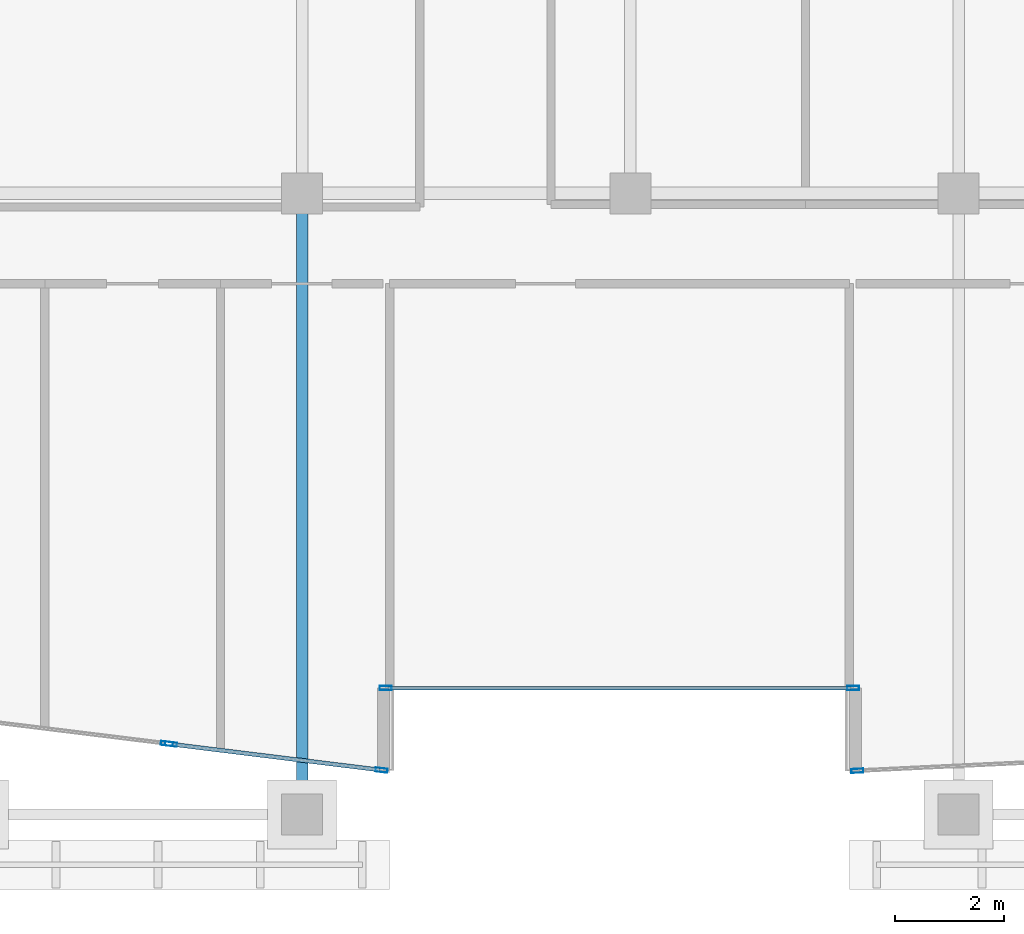
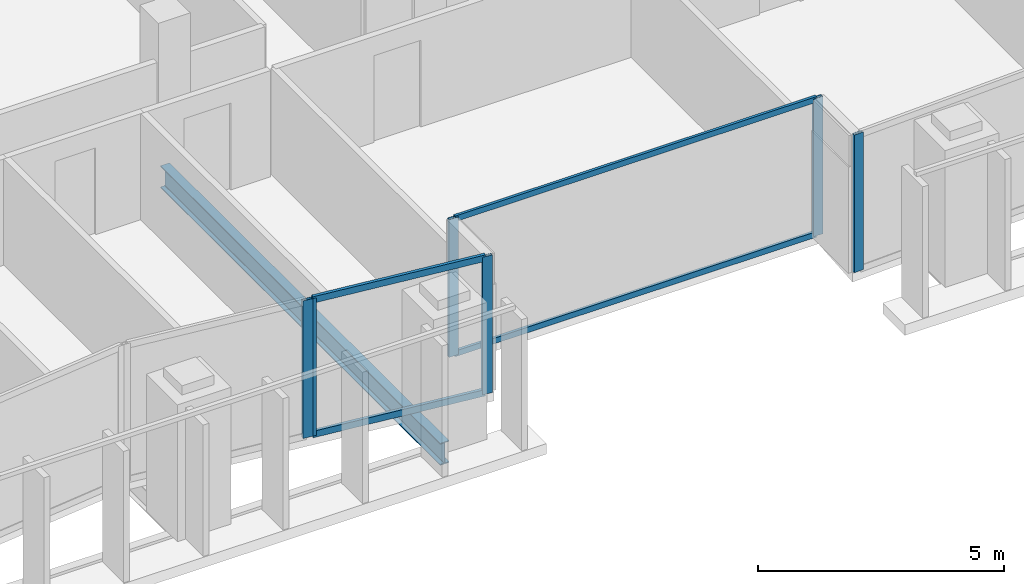
# One storey, part 4 of 32: 10 members, 1 beam, 4 elements without a shape of their own.
"""IFC4 building model written with IfcOpenShell, lengths in metres."""

import ifcopenshell
import ifcopenshell.guid

model = None  # the IFC model being written
_history = None  # IfcOwnerHistory: only IFC2X3 demands one
_inside = {}  # id of a spatial element -> (the spatial element, [elements in it])
_under = {}  # id of a project, library or spatial element -> (it, [spatial elements below it])
_declared = {}  # id of a project -> (the project, [libraries it declares])
_typed = {}  # id of a type object -> (the type object, [elements of that type])
_made_of = {}  # id of a material, layer set ... -> (it, [elements and type objects made of it])


def new_model(schema):
    """Start an empty IFC model of exactly this schema.

    Asked for "IFC4X3", IfcOpenShell would pick the latest addendum, in which some entities
    have other attributes; the version numbers below select the first issue.
    IFC2X3 requires an IfcOwnerHistory on every rooted entity: one is made here for all.
    """
    global model, _history
    if schema == "IFC4X3":
        model = ifcopenshell.file(schema_version=(4, 3, 0, 0))
    else:
        model = ifcopenshell.file(schema=schema)
    _inside.clear()
    _under.clear()
    _declared.clear()
    _typed.clear()
    _made_of.clear()
    _history = None
    if model.schema == "IFC2X3":
        org = make("IfcOrganization", Name="unknown")
        user = make(
            "IfcPersonAndOrganization",
            ThePerson=make("IfcPerson", FamilyName="unknown"),
            TheOrganization=org,
        )
        app = make(
            "IfcApplication",
            ApplicationDeveloper=org,
            Version="unknown",
            ApplicationFullName="unknown",
            ApplicationIdentifier="unknown",
        )
        _history = make(
            "IfcOwnerHistory",
            OwningUser=user,
            OwningApplication=app,
            ChangeAction="ADDED",
            CreationDate=0,
        )
    return model


def make(cls, **values):
    """One entity of the class cls with the attributes given. An attribute that is None is left unset."""
    return model.create_entity(
        cls, **{name: value for name, value in values.items() if value is not None}
    )


def rooted(cls, **values):
    """An entity with a GlobalId (a new one), such as an element, a storey or a relation."""
    return make(cls, GlobalId=ifcopenshell.guid.new(), OwnerHistory=_history, **values)


def si_unit(unit_type, name, prefix=None):
    """IfcSIUnit, for example si_unit("LENGTHUNIT", "METRE", prefix="MILLI")."""
    return make("IfcSIUnit", UnitType=unit_type, Prefix=prefix, Name=name)


def assignment(units):
    """IfcUnitAssignment: the units of a project."""
    return None if units is None else make("IfcUnitAssignment", Units=units)


def point(xyz):
    """IfcCartesianPoint."""
    return None if xyz is None else make("IfcCartesianPoint", Coordinates=xyz)


def direction(xyz):
    """IfcDirection."""
    return None if xyz is None else make("IfcDirection", DirectionRatios=xyz)


def frame(location, z_axis=None, x_axis=None):
    """IfcAxis2Placement3D, a coordinate frame: its origin and axes. An axis left out is left unset."""
    return make(
        "IfcAxis2Placement3D",
        Location=point(location),
        Axis=direction(z_axis),
        RefDirection=direction(x_axis),
    )


def frame_2d(location, x_axis=None):
    """IfcAxis2Placement2D, a coordinate frame in the plane: its origin and x axis."""
    return make(
        "IfcAxis2Placement2D", Location=point(location), RefDirection=direction(x_axis)
    )


def origin():
    """The frame at (0, 0, 0) with its axes left unset."""
    return frame((0.0, 0.0, 0.0))


def origin_2d():
    """The frame at (0, 0) in the plane with its x axis left unset."""
    return frame_2d((0.0, 0.0))


def place(relative_to, where):
    """IfcLocalPlacement: puts the frame where relative to a parent placement (None: the world)."""
    return make(
        "IfcLocalPlacement", PlacementRelTo=relative_to, RelativePlacement=where
    )


def context(
    kind, dimensions, precision=None, world=None, true_north=None, identifier=None
):
    """IfcGeometricRepresentationContext, for example the 3D "Model" context."""
    return make(
        "IfcGeometricRepresentationContext",
        ContextIdentifier=identifier,
        ContextType=kind,
        CoordinateSpaceDimension=dimensions,
        Precision=precision,
        WorldCoordinateSystem=world,
        TrueNorth=true_north,
    )


def subcontext(parent, identifier, kind, view, scale=None):
    """IfcGeometricRepresentationSubContext, for example "Body" below "Model"."""
    return make(
        "IfcGeometricRepresentationSubContext",
        ContextIdentifier=identifier,
        ContextType=kind,
        ParentContext=parent,
        TargetScale=scale,
        TargetView=view,
    )


def project(units=None, contexts=None):
    """IfcProject with its units and contexts."""
    return rooted(
        "IfcProject",
        Name="project",
        RepresentationContexts=contexts,
        UnitsInContext=assignment(units),
    )


def spatial(cls, under=None, at=None, **own):
    """A site, building, storey or space (cls), placed at a placement, below another one or the project."""
    s = rooted(cls, ObjectPlacement=at, **own)
    if under is not None:
        _under.setdefault(under.id(), (under, []))[1].append(s)
    return s


def profile(cls, at=None, kind="AREA", **sizes):
    """A parametric profile (cls). Its sizes go by their IFC names, for example OverallWidth=200.0."""
    return make(cls, ProfileType=kind, Position=at, **sizes)


def hollow_rectangle(**sizes):
    """IfcRectangleHollowProfileDef."""
    return profile("IfcRectangleHollowProfileDef", **sizes)


def i_section(**sizes):
    """IfcIShapeProfileDef."""
    return profile("IfcIShapeProfileDef", **sizes)


def extrude(swept, where, along, depth):
    """IfcExtrudedAreaSolid: the profile swept, set in the frame where, extruded along a direction by depth."""
    return make(
        "IfcExtrudedAreaSolid",
        SweptArea=swept,
        Position=where,
        ExtrudedDirection=direction(along),
        Depth=depth,
    )


def shape(context_of_items, identifier, shape_type, items):
    """IfcShapeRepresentation: the items that make up one representation, for example the "Body"."""
    return make(
        "IfcShapeRepresentation",
        ContextOfItems=context_of_items,
        RepresentationIdentifier=identifier,
        RepresentationType=shape_type,
        Items=items,
    )


def material(Name=None, Category=None):
    """IfcMaterial."""
    return make("IfcMaterial", Name=Name, Category=Category)


def layer(
    of_material, thickness, ventilated=None, Name=None, Category=None, Priority=None
):
    """IfcMaterialLayer: one layer of a wall or slab, of a material (None: an air gap)."""
    return make(
        "IfcMaterialLayer",
        Material=of_material,
        LayerThickness=thickness,
        IsVentilated=ventilated,
        Name=Name,
        Category=Category,
        Priority=Priority,
    )


def layer_set(layers, Name=None):
    """IfcMaterialLayerSet."""
    return make("IfcMaterialLayerSet", MaterialLayers=layers, LayerSetName=Name)


def material_profile(
    of_material, cross_section, Name=None, Category=None, Priority=None
):
    """IfcMaterialProfile: a cross section and its material."""
    return make(
        "IfcMaterialProfile",
        Name=Name,
        Material=of_material,
        Profile=cross_section,
        Priority=Priority,
        Category=Category,
    )


def profile_set(profiles, Name=None, composite=None):
    """IfcMaterialProfileSet."""
    return make(
        "IfcMaterialProfileSet",
        Name=Name,
        MaterialProfiles=profiles,
        CompositeProfile=composite,
    )


def made_of(thing, what):
    """Note that an element or type object is made of a material, layer set ...; save() writes the relation."""
    if what is not None:
        _made_of.setdefault(what.id(), (what, []))[1].append(thing)
    return thing


def type_object(cls, material=None, **own):
    """A type object (cls), such as IfcWallType, which elements share."""
    return made_of(rooted(cls, **own), material)


def element(
    cls,
    number,
    at=None,
    inside=None,
    cuts=None,
    type_object=None,
    material=None,
    context=None,
    identifier="Body",
    shape_type=None,
    held_by="IfcProductDefinitionShape",
    body=None,
    shapes=None,
    **own,
):
    """One element of the class cls, such as IfcWall. Its Tag is "e" and its number.

    at: its placement. inside: the storey or other place that contains it. cuts: it is an
    opening in that element (IfcRelVoidsElement). A single representation is given by context,
    identifier, shape_type and body (its items); several are given by shapes. held_by: the class
    of the entity that holds the representations. save() writes the other relations.
    """
    e = rooted(cls, Tag="e%d" % number, ObjectPlacement=at, **own)
    if body is not None:
        shapes = [shape(context, identifier, shape_type, body)]
    if shapes is not None:
        e.Representation = make(held_by, Representations=shapes)
    if inside is not None:
        _inside.setdefault(inside.id(), (inside, []))[1].append(e)
    if cuts is not None:
        rooted(
            "IfcRelVoidsElement", RelatingBuildingElement=cuts, RelatedOpeningElement=e
        )
    if type_object is not None:
        _typed.setdefault(type_object.id(), (type_object, []))[1].append(e)
    return made_of(e, material)


def aggregate(whole, parts):
    """IfcRelAggregates: a whole, such as a stair, and the parts it consists of."""
    return rooted("IfcRelAggregates", RelatingObject=whole, RelatedObjects=parts)


def save(model, path):
    """Write the relations noted so far, then the file.

    IfcRelAggregates (storeys below a building ...), IfcRelContainedInSpatialStructure (elements
    in a storey), IfcRelDefinesByType, IfcRelAssociatesMaterial and IfcRelDeclares: one each for
    every whole, place, type object, material and project.
    """
    for whole, parts in _under.values():
        aggregate(whole, parts)
    for where, things in _inside.values():
        rooted(
            "IfcRelContainedInSpatialStructure",
            RelatedElements=things,
            RelatingStructure=where,
        )
    for kind, things in _typed.values():
        rooted("IfcRelDefinesByType", RelatedObjects=things, RelatingType=kind)
    for what, things in _made_of.values():
        rooted("IfcRelAssociatesMaterial", RelatedObjects=things, RelatingMaterial=what)
    for by, libraries in _declared.values():
        rooted("IfcRelDeclares", RelatingContext=by, RelatedDefinitions=libraries)
    model.write(path)


model = new_model("IFC4")

# Units and contexts
model_context = context("Model", 3, precision=1e-05, world=origin(), true_north=direction((0.0, 1.0)))
body_context = subcontext(model_context, "Body", "Model", "MODEL_VIEW")
ifc_project = project(units=[si_unit("LENGTHUNIT", "METRE"), si_unit("AREAUNIT", "SQUARE_METRE"), si_unit("VOLUMEUNIT", "CUBIC_METRE"), si_unit("PLANEANGLEUNIT", "RADIAN"), si_unit("MASSUNIT", "GRAM", prefix="KILO")], contexts=[model_context])

# Site, building, storey
site_placement = place(None, origin())
site = spatial("IfcSite", under=ifc_project, at=site_placement, CompositionType="ELEMENT")
building_placement = place(site_placement, origin())
building = spatial("IfcBuilding", under=site, at=building_placement, Name="Tanjung Sevakor Pilgrim Tower", CompositionType="ELEMENT")
storey_placement = place(building_placement, frame((0.0, 0.0, 211.860107421875)))
storey = spatial("IfcBuildingStorey", under=building, at=storey_placement, Name="L59", CompositionType="ELEMENT", Elevation=211.860107421875)

# Beam
ifc_material_1 = material(Name="Steel S355J2", Category="steel")
ifc_material_profile_1 = material_profile(ifc_material_1, i_section(OverallWidth=0.2119140625, OverallDepth=0.54443359375, WebThickness=0.0126953125, FlangeThickness=0.021240234375, FilletRadius=0.0126953125, at=origin_2d()))
ifc_profile_set_1 = profile_set([ifc_material_profile_1], Name="Steel S355J2")
beam_type = type_object("IfcBeamType", Name="BM-B-G5-UB_533x210x122", PredefinedType="BEAM", material=ifc_profile_set_1)
beam_placement = place(storey_placement, frame((42.0, 13.25, -0.492431640625), z_axis=(0.0, 1.0, 0.0), x_axis=(-1.0, 0.0, 0.0)))
element("IfcBeam", 1, at=beam_placement, inside=storey, type_object=beam_type, Name="L59 MAIN Girder 005", PredefinedType="BEAM", context=body_context, shape_type="SweptSolid", body=[
    extrude(i_section(OverallWidth=0.2119140625, OverallDepth=0.54443359375, WebThickness=0.0126953125, FlangeThickness=0.021240234375, FilletRadius=0.0126953125, at=origin_2d()), origin(), (0.0, 0.0, 1.0), 11.35009765625),
])

# Curtain wall, member
ifc_material_2 = material(Name="Aluminium 6063-T6 and Low-E Glass", Category="aluminium")
ifc_layer_1 = layer(ifc_material_2, 0.199951171875)
ifc_layer_set_1 = layer_set([ifc_layer_1], Name="CW-SYS-PRAY")
curtain_wall_type_1 = type_object("IfcCurtainWallType", Name="CW-SYS-PRAY", PredefinedType="NOTDEFINED", material=ifc_layer_set_1)
curtain_wall_1_placement = place(storey_placement, origin())
curtain_wall_1 = element("IfcCurtainWall", 2, at=curtain_wall_1_placement, inside=storey, type_object=curtain_wall_type_1, Name="L59 Curtain Wall CW-PRY-L59-4", PredefinedType="NOTDEFINED")
ifc_material_3 = material(Name="Aluminium 6063-T6", Category="aluminium")
ifc_material_profile_2 = material_profile(ifc_material_3, hollow_rectangle(XDim=0.074951171875, YDim=0.219970703125, WallThickness=0.0048828125, at=origin_2d()))
ifc_profile_set_2 = profile_set([ifc_material_profile_2], Name="Aluminium 6063-T6")
member_type_1 = type_object("IfcMemberType", Name="TYPE-CWM-2", PredefinedType="MULLION", material=ifc_profile_set_2)
member_1_placement = place(storey_placement, frame((39.5263671875, 14.543701171875, 0.0), z_axis=(0.0, 0.0, 1.0), x_axis=(0.122510533794, 0.992467213116, 0.0)))
member_1 = element("IfcMember", 3, at=member_1_placement, type_object=member_type_1, Name="CW-PRY mullion 2", PredefinedType="MULLION", context=body_context, shape_type="SweptSolid", body=[
    extrude(hollow_rectangle(XDim=0.074951171875, YDim=0.219970703125, WallThickness=0.0048828125, at=origin_2d()), origin(), (0.0, 0.0, 1.0), 3.409912109375),
])
aggregate(curtain_wall_1, [member_1])

# Curtain wall, members
curtain_wall_2_placement = place(storey_placement, origin())
curtain_wall_2 = element("IfcCurtainWall", 4, at=curtain_wall_2_placement, inside=storey, type_object=curtain_wall_type_1, Name="L59 Curtain Wall CW-PRY-L59-5", PredefinedType="NOTDEFINED")
member_2_placement = place(storey_placement, frame((39.600830078125, 14.53466796875, 0.0), z_axis=(0.0, 0.0, 1.0), x_axis=(0.122538251863, 0.992463791194, 0.0)))
member_2 = element("IfcMember", 5, at=member_2_placement, type_object=member_type_1, Name="CW-PRY mullion 1", PredefinedType="MULLION", context=body_context, shape_type="SweptSolid", body=[
    extrude(hollow_rectangle(XDim=0.074951171875, YDim=0.219970703125, WallThickness=0.0048828125, at=origin_2d()), origin(), (0.0, 0.0, 1.0), 3.409912109375),
])
member_3_placement = place(storey_placement, frame((43.452880859375, 14.05908203125, 0.0), z_axis=(0.0, 0.0, 1.0), x_axis=(0.122538251863, 0.992463791194, 0.0)))
member_3 = element("IfcMember", 6, at=member_3_placement, type_object=member_type_1, Name="CW-PRY mullion 2", PredefinedType="MULLION", context=body_context, shape_type="SweptSolid", body=[
    extrude(hollow_rectangle(XDim=0.074951171875, YDim=0.219970703125, WallThickness=0.0048828125, at=origin_2d()), origin(), (0.0, 0.0, 1.0), 3.409912109375),
])

ifc_material_4 = material(Name="Aluminium 6063-T6 and Low-E Glass", Category="aluminium")
ifc_layer_2 = layer(ifc_material_4, 0.179931640625)
ifc_layer_set_2 = layer_set([ifc_layer_2], Name="CW-SYS-CLEFT")
curtain_wall_type_2 = type_object("IfcCurtainWallType", Name="CW-SYS-CLEFT", PredefinedType="NOTDEFINED", material=ifc_layer_set_2)
curtain_wall_3_placement = place(storey_placement, origin())
curtain_wall_3 = element("IfcCurtainWall", 7, at=curtain_wall_3_placement, inside=storey, type_object=curtain_wall_type_2, Name="L59 Curtain Wall CW-CLF-L59-7", PredefinedType="NOTDEFINED")
member_4_placement = place(storey_placement, frame((43.527587890625, 15.56005859375, 0.0), z_axis=(0.0, 0.0, 1.0), x_axis=(0.0, 1.0, 0.0)))
member_4 = element("IfcMember", 8, at=member_4_placement, type_object=member_type_1, Name="CW-CLF mullion 1", PredefinedType="MULLION", context=body_context, shape_type="SweptSolid", body=[
    extrude(hollow_rectangle(XDim=0.074951171875, YDim=0.219970703125, WallThickness=0.0048828125, at=origin_2d()), origin(), (0.0, 0.0, 1.0), 3.409912109375),
])
member_5_placement = place(storey_placement, frame((52.072509765625, 15.56005859375, 0.0), z_axis=(0.0, 0.0, 1.0), x_axis=(0.0, 1.0, 0.0)))
member_5 = element("IfcMember", 9, at=member_5_placement, type_object=member_type_1, Name="CW-CLF mullion 2", PredefinedType="MULLION", context=body_context, shape_type="SweptSolid", body=[
    extrude(hollow_rectangle(XDim=0.074951171875, YDim=0.219970703125, WallThickness=0.0048828125, at=origin_2d()), origin(), (0.0, 0.0, 1.0), 3.409912109375),
])

# Curtain wall, member
curtain_wall_4_placement = place(storey_placement, origin())
curtain_wall_4 = element("IfcCurtainWall", 10, at=curtain_wall_4_placement, inside=storey, type_object=curtain_wall_type_1, Name="L59 Curtain Wall CW-PRY-L59-9", PredefinedType="NOTDEFINED")
member_6_placement = place(storey_placement, frame((52.1474609375, 14.047119140625, 0.0), z_axis=(0.0, 0.0, 1.0), x_axis=(-0.047793830125, 0.99885722193, 0.0)))
member_6 = element("IfcMember", 11, at=member_6_placement, type_object=member_type_1, Name="CW-PRY mullion 1", PredefinedType="MULLION", context=body_context, shape_type="SweptSolid", body=[
    extrude(hollow_rectangle(XDim=0.074951171875, YDim=0.219970703125, WallThickness=0.0048828125, at=origin_2d()), origin(), (0.0, 0.0, 1.0), 3.409912109375),
])
aggregate(curtain_wall_4, [member_6])

# Member
ifc_material_5 = material(Name="Aluminium 6063-T6", Category="aluminium")
ifc_material_profile_3 = material_profile(ifc_material_5, hollow_rectangle(XDim=0.06494140625, YDim=0.139892578125, WallThickness=0.00390625, at=origin_2d()))
ifc_profile_set_3 = profile_set([ifc_material_profile_3], Name="Aluminium 6063-T6")
member_type_2 = type_object("IfcMemberType", Name="TYPE-CWT-1", PredefinedType="USERDEFINED", material=ifc_profile_set_3)
member_7_placement = place(storey_placement, frame((43.56494140625, 15.56005859375, 0.032470703125), z_axis=(1.0, 0.0, 0.0), x_axis=(0.0, 1.0, 0.0)))
member_7 = element("IfcMember", 12, at=member_7_placement, type_object=member_type_2, Name="CW-CLF transom 1.1", ObjectType="TRANSOM", PredefinedType="USERDEFINED", context=body_context, shape_type="SweptSolid", body=[
    extrude(hollow_rectangle(XDim=0.06494140625, YDim=0.139892578125, WallThickness=0.00390625, at=origin_2d()), origin(), (0.0, 0.0, 1.0), 8.469970703125),
])

member_8_placement = place(storey_placement, frame((43.56494140625, 15.56005859375, 3.37744140625), z_axis=(1.0, 0.0, 0.0), x_axis=(0.0, 1.0, 0.0)))
member_8 = element("IfcMember", 13, at=member_8_placement, type_object=member_type_2, Name="CW-CLF transom 1.2", ObjectType="TRANSOM", PredefinedType="USERDEFINED", context=body_context, shape_type="SweptSolid", body=[
    extrude(hollow_rectangle(XDim=0.06494140625, YDim=0.139892578125, WallThickness=0.00390625, at=origin_2d()), origin(), (0.0, 0.0, 1.0), 8.469970703125),
])

aggregate(curtain_wall_3, [member_4, member_5, member_7, member_8])

ifc_material_6 = material(Name="Aluminium 6063-T6", Category="aluminium")
ifc_material_profile_4 = material_profile(ifc_material_6, hollow_rectangle(XDim=0.074951171875, YDim=0.159912109375, WallThickness=0.00439453125, at=origin_2d()))
ifc_profile_set_4 = profile_set([ifc_material_profile_4], Name="Aluminium 6063-T6")
member_type_3 = type_object("IfcMemberType", Name="TYPE-CWT-2", PredefinedType="USERDEFINED", material=ifc_profile_set_4)
member_9_placement = place(storey_placement, frame((39.637939453125, 14.530029296875, 0.037353515625), z_axis=(0.992459358153, -0.122574150677, 0.0), x_axis=(0.122574150677, 0.992459358153, 0.0)))
member_9 = element("IfcMember", 14, at=member_9_placement, type_object=member_type_3, Name="CW-PRY transom 1.1", ObjectType="TRANSOM", PredefinedType="USERDEFINED", context=body_context, shape_type="SweptSolid", body=[
    extrude(hollow_rectangle(XDim=0.074951171875, YDim=0.159912109375, WallThickness=0.00439453125, at=origin_2d()), origin(), (0.0, 0.0, 1.0), 3.806396484375),
])

member_10_placement = place(storey_placement, frame((39.637939453125, 14.530029296875, 3.372314453125), z_axis=(0.992459358153, -0.122574150677, 0.0), x_axis=(0.122574150677, 0.992459358153, 0.0)))
member_10 = element("IfcMember", 15, at=member_10_placement, type_object=member_type_3, Name="CW-PRY transom 1.2", ObjectType="TRANSOM", PredefinedType="USERDEFINED", context=body_context, shape_type="SweptSolid", body=[
    extrude(hollow_rectangle(XDim=0.074951171875, YDim=0.159912109375, WallThickness=0.00439453125, at=origin_2d()), origin(), (0.0, 0.0, 1.0), 3.806396484375),
])

aggregate(curtain_wall_2, [member_2, member_3, member_9, member_10])

save(model, "model.ifc")
